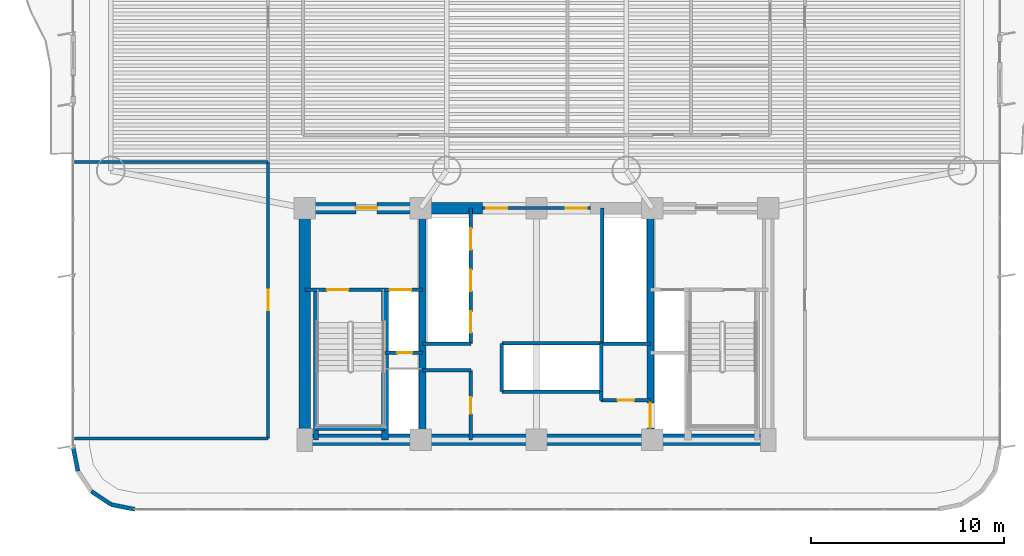
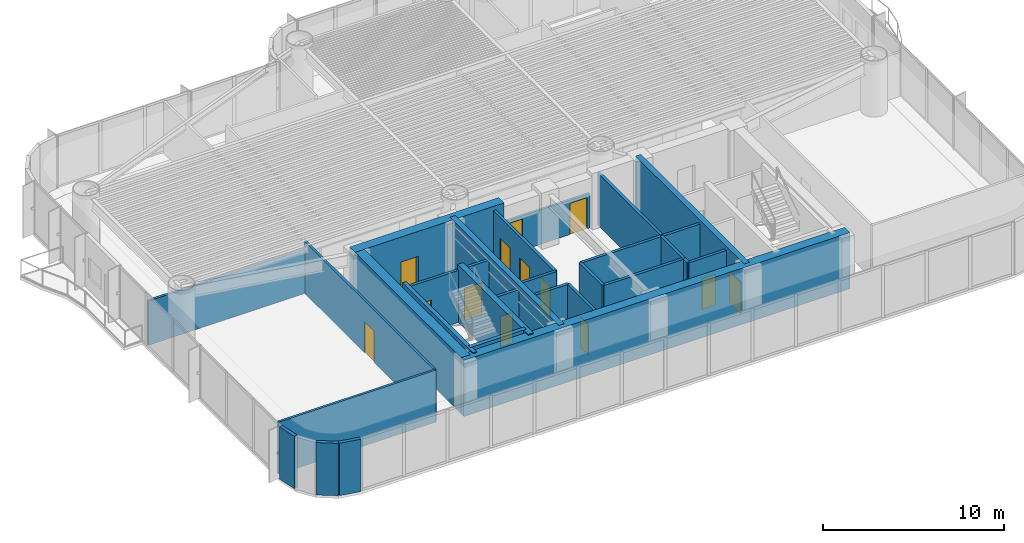
# One storey, part 10 of 16: 29 walls, 13 doors, 13 openings.
"""IFC4 building model written with IfcOpenShell, lengths in metres."""

from ifc_helpers import new_model, si_unit, direction, frame, frame_2d, origin, origin_2d, place, context, subcontext, project, spatial, rectangle, extrude, source, transform, mapped, material, layer, layer_set, type_object, element, fill, save


model = new_model("IFC4")

# Units and contexts
model_context = context("Model", 3, precision=1e-05, world=origin(), true_north=direction((0.0, 1.0)))
body_context = subcontext(model_context, "Body", "Model", "MODEL_VIEW")
ifc_project = project(units=[si_unit("LENGTHUNIT", "METRE"), si_unit("AREAUNIT", "SQUARE_METRE"), si_unit("VOLUMEUNIT", "CUBIC_METRE"), si_unit("PLANEANGLEUNIT", "RADIAN"), si_unit("MASSUNIT", "GRAM", prefix="KILO")], contexts=[model_context])

# Site, building, storey
site_placement = place(None, origin())
site = spatial("IfcSite", under=ifc_project, at=site_placement, CompositionType="ELEMENT")
building_placement = place(site_placement, origin())
building = spatial("IfcBuilding", under=site, at=building_placement, Name="Brelvock Crest Care Tower", CompositionType="ELEMENT")
storey_placement = place(building_placement, frame((0.0, 0.0, 57.239990234375)))
storey = spatial("IfcBuildingStorey", under=building, at=storey_placement, Name="L14", CompositionType="ELEMENT", Elevation=57.239990234375)

# Walls
ifc_material_1 = material(Name="Concrete S80 (80 MPa)", Category="concrete")
ifc_layer_1 = layer(ifc_material_1, 0.60009765625, Name="WL-CS1")
ifc_layer_set_1 = layer_set([ifc_layer_1], Name="Concrete S80 (80 MPa)")
wall_type_1 = type_object("IfcWallType", Name="WL-CS1", PredefinedType="SHEAR", material=ifc_layer_set_1)
wall_1_placement = place(storey_placement, frame((48.300048828125, 6.0, 0.0), z_axis=(0.0, 0.0, 1.0), x_axis=(-1.0, 0.0, 0.0)))
element("IfcWall", 1, at=wall_1_placement, inside=storey, type_object=wall_type_1, Name="L14 Core South Shear Wall", PredefinedType="SHEAR", context=body_context, shape_type="SweptSolid", body=[
    extrude(rectangle(XDim=24.60009765625, YDim=0.60009765625, at=frame_2d((12.300048828125, 0.0))), origin(), (0.0, 0.0, 1.0), 3.780029296875),
])
wall_2_placement = place(storey_placement, frame((24.0, 6.0, 0.0), z_axis=(0.0, 0.0, 1.0), x_axis=(0.0, 1.0, 0.0)))
element("IfcWall", 2, at=wall_2_placement, inside=storey, type_object=wall_type_1, Name="L14 Core West Shear Wall", PredefinedType="SHEAR", context=body_context, shape_type="SweptSolid", body=[
    extrude(rectangle(XDim=12.0, YDim=0.60009765625, at=frame_2d((6.0, 0.0))), origin(), (0.0, 0.0, 1.0), 3.780029296875),
])

# Wall, opening, door
wall_3_placement = place(storey_placement, frame((23.699951171875, 18.0, 0.0), z_axis=(0.0, 0.0, 1.0), x_axis=(1.0, 0.0, 0.0)))
wall_3 = element("IfcWall", 3, at=wall_3_placement, inside=storey, type_object=wall_type_1, Name="L14 Core North-West Shear Wall", PredefinedType="SHEAR", context=body_context, shape_type="SweptSolid", body=[
    extrude(rectangle(XDim=9.5, YDim=0.60009765625, at=frame_2d((4.75, 0.0))), origin(), (0.0, 0.0, 1.0), 3.780029296875),
])
opening_1_placement = place(wall_3_placement, frame((2.949951171875, 0.0, 0.0)))
opening_1 = element("IfcOpeningElement", 4, at=opening_1_placement, cuts=wall_3, Name="Opening FD-1", PredefinedType="OPENING", context=body_context, shape_type="SweptSolid", body=[
    extrude(rectangle(XDim=1.10009765625, YDim=2.10009765625, at=origin_2d()), frame((0.550048828125, 0.31005859375, 1.050048828125), z_axis=(0.0, -1.0, 0.0), x_axis=(1.0, 0.0, 0.0)), (0.0, 0.0, 1.0), 0.6201171875),
])
ifc_material_2 = material(Name="Steel Grade 350", Category="steel")
door_type_1 = type_object("IfcDoorType", Name="DR-FFL1", OperationType="NOTDEFINED", PredefinedType="DOOR", material=ifc_material_2)
shared_shape_1 = source(origin(), body_context, "Body", "SweptSolid", [
    extrude(rectangle(XDim=1.10009765625, YDim=2.10009765625, at=origin_2d()), frame((0.550048828125, 0.02490234375, 1.050048828125), z_axis=(0.0, -1.0, 0.0), x_axis=(1.0, 0.0, 0.0)), (0.0, 0.0, 1.0), 0.050048828125),
])
door_1_placement = place(opening_1_placement, origin())
door_1 = element("IfcDoor", 5, at=door_1_placement, inside=storey, type_object=door_type_1, Name="L14 Firefighting Lobby FFL-1 Exit Door", OperationType="SINGLE_SWING_LEFT", OverallHeight=2.10009765625, OverallWidth=1.10009765625, PredefinedType="DOOR", context=body_context, shape_type="MappedRepresentation", body=[
    mapped(shared_shape_1, transform((0.0, 0.0, 0.0), x_axis=(1.0, 0.0, 0.0), y_axis=(0.0, 1.0, 0.0), z_axis=(0.0, 0.0, 1.0), scale=1.0)),
])
fill(opening_1, door_1)

# Wall
ifc_layer_2 = layer(ifc_material_1, 0.35009765625, Name="WL-CS5")
ifc_layer_set_2 = layer_set([ifc_layer_2], Name="Concrete S80 (80 MPa)")
wall_type_2 = type_object("IfcWallType", Name="WL-CS5", PredefinedType="SHEAR", material=ifc_layer_set_2)
wall_4_placement = place(storey_placement, frame((30.10009765625, 6.0, 0.0), z_axis=(0.0, 0.0, 1.0), x_axis=(0.0, 1.0, 0.0)))
element("IfcWall", 6, at=wall_4_placement, inside=storey, type_object=wall_type_2, Name="L14 Core Internal Web Wall West", PredefinedType="SHEAR", context=body_context, shape_type="SweptSolid", body=[
    extrude(rectangle(XDim=12.0, YDim=0.35009765625, at=frame_2d((6.0, 0.0))), origin(), (0.0, 0.0, 1.0), 3.780029296875),
])

# Wall, opening, door
wall_5_placement = place(storey_placement, frame((41.89990234375, 18.0, 0.0), z_axis=(0.0, 0.0, 1.0), x_axis=(0.0, -1.0, 0.0)))
wall_5 = element("IfcWall", 7, at=wall_5_placement, inside=storey, type_object=wall_type_2, Name="L14 Core Internal Web Wall East", PredefinedType="SHEAR", context=body_context, shape_type="SweptSolid", body=[
    extrude(rectangle(XDim=12.0, YDim=0.35009765625, at=frame_2d((6.0, 0.0))), origin(), (0.0, 0.0, 1.0), 3.780029296875),
])
opening_2_placement = place(wall_5_placement, frame((10.080078125, 0.0, 0.0)))
opening_2 = element("IfcOpeningElement", 8, at=opening_2_placement, cuts=wall_5, Name="Opening LD-S", PredefinedType="OPENING", context=body_context, shape_type="SweptSolid", body=[
    extrude(rectangle(XDim=1.300048828125, YDim=2.10009765625, at=origin_2d()), frame((0.64990234375, 0.18505859375, 1.050048828125), z_axis=(0.0, -1.0, 0.0), x_axis=(1.0, 0.0, 0.0)), (0.0, 0.0, 1.0), 0.3701171875),
])
door_type_2 = type_object("IfcDoorType", Name="DR-LDS1", OperationType="NOTDEFINED", PredefinedType="DOOR", material=ifc_material_2)
shared_shape_2 = source(origin(), body_context, "Body", "SweptSolid", [
    extrude(rectangle(XDim=1.300048828125, YDim=2.10009765625, at=origin_2d()), frame((0.64990234375, 0.02490234375, 1.050048828125), z_axis=(0.0, -1.0, 0.0), x_axis=(1.0, 0.0, 0.0)), (0.0, 0.0, 1.0), 0.050048828125),
])
door_2_placement = place(opening_2_placement, origin())
door_2 = element("IfcDoor", 9, at=door_2_placement, inside=storey, type_object=door_type_2, Name="L14 Clinical Bed Lift SL-1 Landing Door", OperationType="SLIDING_TO_LEFT", OverallHeight=2.10009765625, OverallWidth=1.300048828125, PredefinedType="DOOR", context=body_context, shape_type="MappedRepresentation", body=[
    mapped(shared_shape_2, transform((0.0, 0.0, 0.0), x_axis=(1.0, 0.0, 0.0), y_axis=(0.0, 1.0, 0.0), z_axis=(0.0, 0.0, 1.0), scale=1.0)),
])
fill(opening_2, door_2)

# Walls
wall_6_placement = place(storey_placement, frame((28.14990234375, 6.0, 0.0), z_axis=(0.0, 0.0, 1.0), x_axis=(0.0, 1.0, 0.0)))
element("IfcWall", 10, at=wall_6_placement, inside=storey, type_object=wall_type_2, Name="L14 Core Stair ST-1 East Shear Wall", PredefinedType="SHEAR", context=body_context, shape_type="SweptSolid", body=[
    extrude(rectangle(XDim=7.780029296875, YDim=0.35009765625, at=frame_2d((3.89013671875, 0.0))), origin(), (0.0, 0.0, 1.0), 3.85009765625),
])
ifc_layer_3 = layer(ifc_material_1, 0.25, Name="WL-CS6")
ifc_layer_set_3 = layer_set([ifc_layer_3], Name="Concrete S80 (80 MPa)")
wall_type_3 = type_object("IfcWallType", Name="WL-CS6", PredefinedType="SHEAR", material=ifc_layer_set_3)
wall_7_placement = place(storey_placement, frame((24.580078125, 6.0, 0.0), z_axis=(0.0, 0.0, 1.0), x_axis=(0.0, 1.0, 0.0)))
element("IfcWall", 11, at=wall_7_placement, inside=storey, type_object=wall_type_3, Name="L14 Core Stair ST-1 West Shear Wall", PredefinedType="SHEAR", context=body_context, shape_type="SweptSolid", body=[
    extrude(rectangle(XDim=7.780029296875, YDim=0.25, at=frame_2d((3.89013671875, 0.0))), origin(), (0.0, 0.0, 1.0), 3.85009765625),
])
wall_8_placement = place(storey_placement, frame((24.580078125, 6.6201171875, 0.0), z_axis=(0.0, 0.0, 1.0), x_axis=(1.0, 0.0, 0.0)))
element("IfcWall", 12, at=wall_8_placement, inside=storey, type_object=wall_type_3, Name="L14 Core Stair ST-1 South Shear Wall", PredefinedType="SHEAR", context=body_context, shape_type="SweptSolid", body=[
    extrude(rectangle(XDim=3.56982421875, YDim=0.25, at=frame_2d((1.784912109375, 0.0))), origin(), (0.0, 0.0, 1.0), 3.85009765625),
])
ifc_material_3 = material(Name="Precast concrete N40 (40 MPa)", Category="concrete")
ifc_layer_4 = layer(ifc_material_3, 0.215087890625, Name="WL-EX2")
ifc_layer_set_4 = layer_set([ifc_layer_4], Name="Precast concrete N40 (40 MPa)")
wall_type_4 = type_object("IfcWallType", Name="WL-EX2", PredefinedType="SOLIDWALL", material=ifc_layer_set_4)
for number, where, z_axis, x_axis, name in (
    (13, (15.199951171875, 2.39990234375, 0.0), (0.0, 0.0, 1.0), (-0.980775717779, 0.195138390419, 0.0), "L14 Rounded Corner Wall 09"),
    (14, (13.975341796875, 2.6435546875, 0.0), (0.0, 0.0, 1.0), (-0.831387912822, 0.555692485475, 0.0), "L14 Rounded Corner Wall 10"),
    (15, (12.24365234375, 4.37548828125, 0.0), (0.0, 0.0, 1.0), (-0.195138390419, 0.980775717779, 0.0), "L14 Rounded Corner Wall 12"),
):
    element("IfcWall", number, at=place(storey_placement, frame(where, z_axis=z_axis, x_axis=x_axis)), inside=storey, type_object=wall_type_4, Name=name, PredefinedType="SOLIDWALL", context=body_context, shape_type="SweptSolid", body=[
        extrude(rectangle(XDim=1.24853515625, YDim=0.215087890625, at=frame_2d((0.624267578125, 0.0))), origin(), (0.0, 0.0, 1.0), 3.530029296875),
    ])

# Wall, openings, doors
ifc_material_4 = material(Name="Masonry Blockwork Acoustic Partition", Category="masonry")
ifc_layer_5 = layer(ifc_material_4, 0.14990234375, Name="WL-INT1")
ifc_layer_set_5 = layer_set([ifc_layer_5], Name="Masonry Blockwork Acoustic Partition")
wall_type_5 = type_object("IfcWallType", Name="WL-INT1", PredefinedType="PARTITIONING", material=ifc_layer_set_5)
wall_9_placement = place(storey_placement, frame((33.199951171875, 18.0, 0.0), z_axis=(0.0, 0.0, 1.0), x_axis=(1.0, 0.0, 0.0)))
wall_9 = element("IfcWall", 16, at=wall_9_placement, inside=storey, type_object=wall_type_5, Name="L14 Interior Wall WL-CORE-NPORT-L14", PredefinedType="PARTITIONING", context=body_context, shape_type="SweptSolid", body=[
    extrude(rectangle(XDim=5.60009765625, YDim=0.14990234375, at=frame_2d((2.800048828125, 0.0))), origin(), (0.0, 0.0, 1.0), 2.31494140625),
])
opening_3_placement = place(wall_9_placement, frame((0.18994140625, 0.0, 0.0)))
opening_3 = element("IfcOpeningElement", 17, at=opening_3_placement, cuts=wall_9, Name="Opening FD-1", PredefinedType="OPENING", context=body_context, shape_type="SweptSolid", body=[
    extrude(rectangle(XDim=1.10009765625, YDim=2.10009765625, at=origin_2d()), frame((0.550048828125, 0.0849609375, 1.050048828125), z_axis=(0.0, -1.0, 0.0), x_axis=(1.0, 0.0, 0.0)), (0.0, 0.0, 1.0), 0.169921875),
])
opening_4_placement = place(wall_9_placement, frame((4.31005859375, 0.0, 0.0)))
opening_4 = element("IfcOpeningElement", 18, at=opening_4_placement, cuts=wall_9, Name="Opening FD-1", PredefinedType="OPENING", context=body_context, shape_type="SweptSolid", body=[
    extrude(rectangle(XDim=1.10009765625, YDim=2.10009765625, at=origin_2d()), frame((0.550048828125, 0.0849609375, 1.050048828125), z_axis=(0.0, -1.0, 0.0), x_axis=(1.0, 0.0, 0.0)), (0.0, 0.0, 1.0), 0.169921875),
])
door_3_placement = place(opening_3_placement, origin())
door_3 = element("IfcDoor", 19, at=door_3_placement, inside=storey, type_object=door_type_1, Name="L14 Lift Lobby North Smoke Door West", OperationType="SINGLE_SWING_LEFT", OverallHeight=2.10009765625, OverallWidth=1.10009765625, PredefinedType="DOOR", context=body_context, shape_type="MappedRepresentation", body=[
    mapped(shared_shape_1, transform((0.0, 0.0, 0.0), x_axis=(1.0, 0.0, 0.0), y_axis=(0.0, 1.0, 0.0), z_axis=(0.0, 0.0, 1.0), scale=1.0)),
])
fill(opening_3, door_3)
door_4_placement = place(opening_4_placement, origin())
door_4 = element("IfcDoor", 20, at=door_4_placement, inside=storey, type_object=door_type_1, Name="L14 Lift Lobby North Smoke Door East", OperationType="SINGLE_SWING_RIGHT", OverallHeight=2.10009765625, OverallWidth=1.10009765625, PredefinedType="DOOR", context=body_context, shape_type="MappedRepresentation", body=[
    mapped(shared_shape_1, transform((0.0, 0.0, 0.0), x_axis=(1.0, 0.0, 0.0), y_axis=(0.0, 1.0, 0.0), z_axis=(0.0, 0.0, 1.0), scale=1.0)),
])
fill(opening_4, door_4)

# Walls
wall_10_placement = place(storey_placement, frame((12.080078125, 6.080078125, 0.0), z_axis=(0.0, 0.0, 1.0), x_axis=(1.0, 0.0, 0.0)))
element("IfcWall", 21, at=wall_10_placement, inside=storey, type_object=wall_type_5, Name="L14 Interior Wall WL-BX-L14-WS1-S", PredefinedType="PARTITIONING", context=body_context, shape_type="SweptSolid", body=[
    extrude(rectangle(XDim=10.02001953125, YDim=0.14990234375, at=frame_2d((5.010009765625, 0.0))), origin(), (0.0, 0.0, 1.0), 3.5),
])
wall_11_placement = place(storey_placement, frame((12.080078125, 20.39990234375, 0.0), z_axis=(0.0, 0.0, 1.0), x_axis=(1.0, 0.0, 0.0)))
element("IfcWall", 22, at=wall_11_placement, inside=storey, type_object=wall_type_5, Name="L14 Interior Wall WL-BX-L14-WS1-N", PredefinedType="PARTITIONING", context=body_context, shape_type="SweptSolid", body=[
    extrude(rectangle(XDim=10.02001953125, YDim=0.14990234375, at=frame_2d((5.010009765625, 0.0))), origin(), (0.0, 0.0, 1.0), 2.98193359375),
])

# Wall, opening, door
wall_12_placement = place(storey_placement, frame((22.10009765625, 6.080078125, 0.0), z_axis=(0.0, 0.0, 1.0), x_axis=(0.0, 1.0, 0.0)))
wall_12 = element("IfcWall", 23, at=wall_12_placement, inside=storey, type_object=wall_type_5, Name="L14 Interior Wall WL-RM-L14-WS1", PredefinedType="PARTITIONING", context=body_context, shape_type="SweptSolid", body=[
    extrude(rectangle(XDim=14.31982421875, YDim=0.14990234375, at=frame_2d((7.159912109375, 0.0))), origin(), (0.0, 0.0, 1.0), 3.5),
])
opening_5_placement = place(wall_12_placement, frame((6.635009765625, 0.0, 0.0)))
opening_5 = element("IfcOpeningElement", 24, at=opening_5_placement, cuts=wall_12, Name="Opening CLD-1", PredefinedType="OPENING", context=body_context, shape_type="SweptSolid", body=[
    extrude(rectangle(XDim=1.050048828125, YDim=2.10009765625, at=origin_2d()), frame((0.52490234375, 0.0849609375, 1.050048828125), z_axis=(0.0, -1.0, 0.0), x_axis=(1.0, 0.0, 0.0)), (0.0, 0.0, 1.0), 0.169921875),
])
ifc_material_5 = material(Name="Engineered Hardwood Timber", Category="wood")
door_type_3 = type_object("IfcDoorType", Name="DR-CLN1", OperationType="NOTDEFINED", PredefinedType="DOOR", material=ifc_material_5)
shared_shape_3 = source(origin(), body_context, "Body", "SweptSolid", [
    extrude(rectangle(XDim=1.050048828125, YDim=2.10009765625, at=origin_2d()), frame((0.52490234375, 0.02490234375, 1.050048828125), z_axis=(0.0, -1.0, 0.0), x_axis=(1.0, 0.0, 0.0)), (0.0, 0.0, 1.0), 0.050048828125),
])
door_5_placement = place(opening_5_placement, origin())
door_5 = element("IfcDoor", 25, at=door_5_placement, inside=storey, type_object=door_type_3, Name="L14 Senior Creative Arts Studio Door WS1", OperationType="SINGLE_SWING_LEFT", OverallHeight=2.10009765625, OverallWidth=1.050048828125, PredefinedType="DOOR", context=body_context, shape_type="MappedRepresentation", body=[
    mapped(shared_shape_3, transform((0.0, 0.0, 0.0), x_axis=(1.0, 0.0, 0.0), y_axis=(0.0, 1.0, 0.0), z_axis=(0.0, 0.0, 1.0), scale=1.0)),
])
fill(opening_5, door_5)

# Walls
ifc_layer_6 = layer(ifc_material_4, 0.179931640625, Name="WL-SHF1")
ifc_layer_set_6 = layer_set([ifc_layer_6], Name="Masonry Blockwork Acoustic Partition")
wall_type_6 = type_object("IfcWallType", Name="WL-SHF1", PredefinedType="PARTITIONING", material=ifc_layer_set_6)
for number, where, z_axis, x_axis, name in (
    (26, (34.199951171875, 11.0, 0.0), (0.0, 0.0, 1.0), (1.0, 0.0, 0.0), "L14 Interior Wall WL-PLM-SHF-L14"),
    (27, (34.199951171875, 8.5, 0.0), (0.0, 0.0, 1.0), (1.0, 0.0, 0.0), "L14 Interior Wall WL-PLM-S-L14"),
):
    element("IfcWall", number, at=place(storey_placement, frame(where, z_axis=z_axis, x_axis=x_axis)), inside=storey, type_object=wall_type_6, Name=name, PredefinedType="PARTITIONING", context=body_context, shape_type="SweptSolid", body=[
        extrude(rectangle(XDim=5.150146484375, YDim=0.179931640625, at=frame_2d((2.5751953125, 0.0))), origin(), (0.0, 0.0, 1.0), 3.5),
    ])
for number, where, z_axis, x_axis, name in (
    (28, (34.199951171875, 8.5, 0.0), (0.0, 0.0, 1.0), (0.0, 1.0, 0.0), "L14 Interior Wall WL-PLM-W-L14"),
    (29, (39.35009765625, 8.5, 0.0), (0.0, 0.0, 1.0), (0.0, 1.0, 0.0), "L14 Interior Wall WL-PLM-E-L14"),
):
    element("IfcWall", number, at=place(storey_placement, frame(where, z_axis=z_axis, x_axis=x_axis)), inside=storey, type_object=wall_type_6, Name=name, PredefinedType="PARTITIONING", context=body_context, shape_type="SweptSolid", body=[
        extrude(rectangle(XDim=2.5, YDim=0.179931640625, at=frame_2d((1.25, 0.0))), origin(), (0.0, 0.0, 1.0), 3.5),
    ])
wall_13_placement = place(storey_placement, frame((39.39990234375, 11.0, 0.0), z_axis=(0.0, 0.0, 1.0), x_axis=(0.0, 1.0, 0.0)))
element("IfcWall", 30, at=wall_13_placement, inside=storey, type_object=wall_type_6, Name="L14 Interior Wall WL-PLH-SHF-L14", PredefinedType="PARTITIONING", context=body_context, shape_type="SweptSolid", body=[
    extrude(rectangle(XDim=7.0, YDim=0.179931640625, at=frame_2d((3.5, 0.0))), origin(), (0.0, 0.0, 1.0), 3.5),
])
for number, where, z_axis, x_axis, name in (
    (31, (30.10009765625, 10.97998046875, 0.0), (0.0, 0.0, 1.0), (1.0, 0.0, 0.0), "L14 Interior Wall WL-CSBW-N-L14"),
    (32, (30.10009765625, 9.60009765625, 0.0), (0.0, 0.0, 1.0), (1.0, 0.0, 0.0), "L14 Interior Wall WL-CSBW-S1-L14"),
):
    element("IfcWall", number, at=place(storey_placement, frame(where, z_axis=z_axis, x_axis=x_axis)), inside=storey, type_object=wall_type_6, Name=name, PredefinedType="PARTITIONING", context=body_context, shape_type="SweptSolid", body=[
        extrude(rectangle(XDim=2.5, YDim=0.179931640625, at=frame_2d((1.25, 0.0))), origin(), (0.0, 0.0, 1.0), 3.5),
    ])

# Wall, opening, door
wall_14_placement = place(storey_placement, frame((32.60009765625, 6.0, 0.0), z_axis=(0.0, 0.0, 1.0), x_axis=(0.0, 1.0, 0.0)))
wall_14 = element("IfcWall", 33, at=wall_14_placement, inside=storey, type_object=wall_type_6, Name="L14 Interior Wall WL-CSBW-E-L14", PredefinedType="PARTITIONING", context=body_context, shape_type="SweptSolid", body=[
    extrude(rectangle(XDim=3.60009765625, YDim=0.179931640625, at=frame_2d((1.800048828125, 0.0))), origin(), (0.0, 0.0, 1.0), 3.5),
])
opening_6_placement = place(wall_14_placement, frame((1.35009765625, 0.0, 0.0)))
opening_6 = element("IfcOpeningElement", 34, at=opening_6_placement, cuts=wall_14, Name="Opening ID-1", PredefinedType="OPENING", context=body_context, shape_type="SweptSolid", body=[
    extrude(rectangle(XDim=0.860107421875, YDim=2.10009765625, at=origin_2d()), frame((0.43017578125, 0.10009765625, 1.050048828125), z_axis=(0.0, -1.0, 0.0), x_axis=(1.0, 0.0, 0.0)), (0.0, 0.0, 1.0), 0.199951171875),
])
door_type_4 = type_object("IfcDoorType", Name="DR-INT1", OperationType="NOTDEFINED", PredefinedType="DOOR", material=ifc_material_5)
shared_shape_4 = source(origin(), body_context, "Body", "SweptSolid", [
    extrude(rectangle(XDim=0.860107421875, YDim=2.10009765625, at=origin_2d()), frame((0.43017578125, 0.02490234375, 1.050048828125), z_axis=(0.0, -1.0, 0.0), x_axis=(1.0, 0.0, 0.0)), (0.0, 0.0, 1.0), 0.050048828125),
])
door_6_placement = place(opening_6_placement, origin())
door_6 = element("IfcDoor", 35, at=door_6_placement, inside=storey, type_object=door_type_4, Name="DR-CSBW-L14", OperationType="SINGLE_SWING_LEFT", OverallHeight=2.10009765625, OverallWidth=0.860107421875, PredefinedType="DOOR", context=body_context, shape_type="MappedRepresentation", body=[
    mapped(shared_shape_4, transform((0.0, 0.0, 0.0), x_axis=(1.0, 0.0, 0.0), y_axis=(0.0, 1.0, 0.0), z_axis=(0.0, 0.0, 1.0), scale=1.0)),
])
fill(opening_6, door_6)

# Walls
wall_15_placement = place(storey_placement, frame((39.35009765625, 10.97998046875, 0.0), z_axis=(0.0, 0.0, 1.0), x_axis=(1.0, 0.0, 0.0)))
element("IfcWall", 36, at=wall_15_placement, inside=storey, type_object=wall_type_6, Name="L14 Interior Wall WL-CSBE-N-L14", PredefinedType="PARTITIONING", context=body_context, shape_type="SweptSolid", body=[
    extrude(rectangle(XDim=2.5498046875, YDim=0.179931640625, at=frame_2d((1.27490234375, 0.0))), origin(), (0.0, 0.0, 1.0), 3.5),
])
wall_16_placement = place(storey_placement, frame((39.35009765625, 8.050048828125, 0.0), z_axis=(0.0, 0.0, 1.0), x_axis=(0.0, 1.0, 0.0)))
element("IfcWall", 37, at=wall_16_placement, inside=storey, type_object=wall_type_6, Name="L14 Interior Wall WL-CSBE-W-L14", PredefinedType="PARTITIONING", context=body_context, shape_type="SweptSolid", body=[
    extrude(rectangle(XDim=0.449951171875, YDim=0.179931640625, at=frame_2d((0.22509765625, 0.0))), origin(), (0.0, 0.0, 1.0), 3.5),
])

# Wall, opening, door
wall_17_placement = place(storey_placement, frame((39.35009765625, 8.050048828125, 0.0), z_axis=(0.0, 0.0, 1.0), x_axis=(1.0, 0.0, 0.0)))
wall_17 = element("IfcWall", 38, at=wall_17_placement, inside=storey, type_object=wall_type_6, Name="L14 Interior Wall WL-CSBE-S-L14", PredefinedType="PARTITIONING", context=body_context, shape_type="SweptSolid", body=[
    extrude(rectangle(XDim=2.5498046875, YDim=0.179931640625, at=frame_2d((1.27490234375, 0.0))), origin(), (0.0, 0.0, 1.0), 3.5),
])
opening_7_placement = place(wall_17_placement, frame((0.85009765625, 0.0, 0.0)))
opening_7 = element("IfcOpeningElement", 39, at=opening_7_placement, cuts=wall_17, Name="Opening ID-1", PredefinedType="OPENING", context=body_context, shape_type="SweptSolid", body=[
    extrude(rectangle(XDim=0.860107421875, YDim=2.10009765625, at=origin_2d()), frame((0.43017578125, 0.10009765625, 1.050048828125), z_axis=(0.0, -1.0, 0.0), x_axis=(1.0, 0.0, 0.0)), (0.0, 0.0, 1.0), 0.199951171875),
])
door_7_placement = place(opening_7_placement, origin())
door_7 = element("IfcDoor", 40, at=door_7_placement, inside=storey, type_object=door_type_4, Name="DR-CSBE-L14", OperationType="SINGLE_SWING_LEFT", OverallHeight=2.10009765625, OverallWidth=0.860107421875, PredefinedType="DOOR", context=body_context, shape_type="MappedRepresentation", body=[
    mapped(shared_shape_4, transform((0.0, 0.0, 0.0), x_axis=(1.0, 0.0, 0.0), y_axis=(0.0, 1.0, 0.0), z_axis=(0.0, 0.0, 1.0), scale=1.0)),
])
fill(opening_7, door_7)

# Wall, openings, doors
wall_18_placement = place(storey_placement, frame((24.0, 13.780029296875, 0.0), z_axis=(0.0, 0.0, 1.0), x_axis=(1.0, 0.0, 0.0)))
wall_18 = element("IfcWall", 41, at=wall_18_placement, inside=storey, type_object=wall_type_6, Name="L14 Interior Wall WL-ST1-N-L14", PredefinedType="PARTITIONING", context=body_context, shape_type="SweptSolid", body=[
    extrude(rectangle(XDim=6.10009765625, YDim=0.179931640625, at=frame_2d((3.050048828125, 0.0))), origin(), (0.0, 0.0, 1.0), 3.5),
])
opening_8_placement = place(wall_18_placement, frame((1.14990234375, 0.0, 0.0)))
opening_8 = element("IfcOpeningElement", 42, at=opening_8_placement, cuts=wall_18, Name="Opening SD-1", PredefinedType="OPENING", context=body_context, shape_type="SweptSolid", body=[
    extrude(rectangle(XDim=1.10009765625, YDim=2.10009765625, at=origin_2d()), frame((0.550048828125, 0.10009765625, 1.050048828125), z_axis=(0.0, -1.0, 0.0), x_axis=(1.0, 0.0, 0.0)), (0.0, 0.0, 1.0), 0.199951171875),
])
opening_9_placement = place(wall_18_placement, frame((4.39990234375, 0.0, 0.0)))
opening_9 = element("IfcOpeningElement", 43, at=opening_9_placement, cuts=wall_18, Name="Opening LD", PredefinedType="OPENING", context=body_context, shape_type="SweptSolid", body=[
    extrude(rectangle(XDim=1.10009765625, YDim=2.10009765625, at=origin_2d()), frame((0.550048828125, 0.10009765625, 1.050048828125), z_axis=(0.0, -1.0, 0.0), x_axis=(1.0, 0.0, 0.0)), (0.0, 0.0, 1.0), 0.199951171875),
])
door_type_5 = type_object("IfcDoorType", Name="DR-ST1", OperationType="NOTDEFINED", PredefinedType="DOOR", material=ifc_material_2)
shared_shape_5 = source(origin(), body_context, "Body", "SweptSolid", [
    extrude(rectangle(XDim=1.10009765625, YDim=2.10009765625, at=origin_2d()), frame((0.550048828125, 0.02490234375, 1.050048828125), z_axis=(0.0, -1.0, 0.0), x_axis=(1.0, 0.0, 0.0)), (0.0, 0.0, 1.0), 0.050048828125),
])
door_8_placement = place(opening_8_placement, origin())
door_8 = element("IfcDoor", 44, at=door_8_placement, inside=storey, type_object=door_type_5, Name="L14 Fire Stair ST-1 Door", OperationType="SINGLE_SWING_LEFT", OverallHeight=2.10009765625, OverallWidth=1.10009765625, PredefinedType="DOOR", context=body_context, shape_type="MappedRepresentation", body=[
    mapped(shared_shape_5, transform((0.0, 0.0, 0.0), x_axis=(1.0, 0.0, 0.0), y_axis=(0.0, 1.0, 0.0), z_axis=(0.0, 0.0, 1.0), scale=1.0)),
])
fill(opening_8, door_8)
door_type_6 = type_object("IfcDoorType", Name="DR-LD1", OperationType="NOTDEFINED", PredefinedType="DOOR", material=ifc_material_2)
shared_shape_6 = source(origin(), body_context, "Body", "SweptSolid", [
    extrude(rectangle(XDim=1.10009765625, YDim=2.10009765625, at=origin_2d()), frame((0.550048828125, 0.02490234375, 1.050048828125), z_axis=(0.0, -1.0, 0.0), x_axis=(1.0, 0.0, 0.0)), (0.0, 0.0, 1.0), 0.050048828125),
])
door_9_placement = place(opening_9_placement, origin())
door_9 = element("IfcDoor", 45, at=door_9_placement, inside=storey, type_object=door_type_6, Name="L14 Firefighting Lift FFL-1 Landing Door", OperationType="SLIDING_TO_LEFT", OverallHeight=2.10009765625, OverallWidth=1.10009765625, PredefinedType="DOOR", context=body_context, shape_type="MappedRepresentation", body=[
    mapped(shared_shape_6, transform((0.0, 0.0, 0.0), x_axis=(1.0, 0.0, 0.0), y_axis=(0.0, 1.0, 0.0), z_axis=(0.0, 0.0, 1.0), scale=1.0)),
])
fill(opening_9, door_9)

# Wall, opening, door
wall_19_placement = place(storey_placement, frame((28.14990234375, 10.5, 0.0), z_axis=(0.0, 0.0, 1.0), x_axis=(1.0, 0.0, 0.0)))
wall_19 = element("IfcWall", 46, at=wall_19_placement, inside=storey, type_object=wall_type_6, Name="L14 Interior Wall WL-FFH1-S-L14", PredefinedType="PARTITIONING", context=body_context, shape_type="SweptSolid", body=[
    extrude(rectangle(XDim=1.9501953125, YDim=0.179931640625, at=frame_2d((0.97509765625, 0.0))), origin(), (0.0, 0.0, 1.0), 3.5),
])
opening_10_placement = place(wall_19_placement, frame((0.64990234375, 0.0, 0.0)))
opening_10 = element("IfcOpeningElement", 47, at=opening_10_placement, cuts=wall_19, Name="Opening RD-1", PredefinedType="OPENING", context=body_context, shape_type="SweptSolid", body=[
    extrude(rectangle(XDim=0.760009765625, YDim=2.050048828125, at=origin_2d()), frame((0.3798828125, 0.10009765625, 1.02490234375), z_axis=(0.0, -1.0, 0.0), x_axis=(1.0, 0.0, 0.0)), (0.0, 0.0, 1.0), 0.199951171875),
])
door_type_7 = type_object("IfcDoorType", Name="DR-RIS1", OperationType="NOTDEFINED", PredefinedType="DOOR", material=ifc_material_2)
shared_shape_7 = source(origin(), body_context, "Body", "SweptSolid", [
    extrude(rectangle(XDim=0.760009765625, YDim=2.050048828125, at=origin_2d()), frame((0.3798828125, 0.02490234375, 1.02490234375), z_axis=(0.0, -1.0, 0.0), x_axis=(1.0, 0.0, 0.0)), (0.0, 0.0, 1.0), 0.050048828125),
])
door_10_placement = place(opening_10_placement, origin())
door_10 = element("IfcDoor", 48, at=door_10_placement, inside=storey, type_object=door_type_7, Name="L14 Wet Fire Riser Access Door", OperationType="SINGLE_SWING_LEFT", OverallHeight=2.050048828125, OverallWidth=0.760009765625, PredefinedType="DOOR", context=body_context, shape_type="MappedRepresentation", body=[
    mapped(shared_shape_7, transform((0.0, 0.0, 0.0), x_axis=(1.0, 0.0, 0.0), y_axis=(0.0, 1.0, 0.0), z_axis=(0.0, 0.0, 1.0), scale=1.0)),
])
fill(opening_10, door_10)

# Wall, openings, doors
wall_20_placement = place(storey_placement, frame((32.60009765625, 11.0, 0.0), z_axis=(0.0, 0.0, 1.0), x_axis=(0.0, 1.0, 0.0)))
wall_20 = element("IfcWall", 49, at=wall_20_placement, inside=storey, type_object=wall_type_6, Name="L14 Interior Wall WL-PLL-BANK-L14", PredefinedType="PARTITIONING", context=body_context, shape_type="SweptSolid", body=[
    extrude(rectangle(XDim=7.0, YDim=0.179931640625, at=frame_2d((3.5, 0.0))), origin(), (0.0, 0.0, 1.0), 3.5),
])
opening_11_placement = place(wall_20_placement, frame((0.550048828125, 0.0, 0.0)))
opening_11 = element("IfcOpeningElement", 50, at=opening_11_placement, cuts=wall_20, Name="Opening LD", PredefinedType="OPENING", context=body_context, shape_type="SweptSolid", body=[
    extrude(rectangle(XDim=1.10009765625, YDim=2.10009765625, at=origin_2d()), frame((0.550048828125, 0.10009765625, 1.050048828125), z_axis=(0.0, -1.0, 0.0), x_axis=(1.0, 0.0, 0.0)), (0.0, 0.0, 1.0), 0.199951171875),
])
opening_12_placement = place(wall_20_placement, frame((2.699951171875, 0.0, 0.0)))
opening_12 = element("IfcOpeningElement", 51, at=opening_12_placement, cuts=wall_20, Name="Opening LD", PredefinedType="OPENING", context=body_context, shape_type="SweptSolid", body=[
    extrude(rectangle(XDim=1.10009765625, YDim=2.10009765625, at=origin_2d()), frame((0.550048828125, 0.10009765625, 1.050048828125), z_axis=(0.0, -1.0, 0.0), x_axis=(1.0, 0.0, 0.0)), (0.0, 0.0, 1.0), 0.199951171875),
])
opening_13_placement = place(wall_20_placement, frame((4.85009765625, 0.0, 0.0)))
opening_13 = element("IfcOpeningElement", 52, at=opening_13_placement, cuts=wall_20, Name="Opening LD", PredefinedType="OPENING", context=body_context, shape_type="SweptSolid", body=[
    extrude(rectangle(XDim=1.10009765625, YDim=2.10009765625, at=origin_2d()), frame((0.550048828125, 0.10009765625, 1.050048828125), z_axis=(0.0, -1.0, 0.0), x_axis=(1.0, 0.0, 0.0)), (0.0, 0.0, 1.0), 0.199951171875),
])
door_11_placement = place(opening_11_placement, origin())
door_11 = element("IfcDoor", 53, at=door_11_placement, inside=storey, type_object=door_type_6, Name="L14 Lift PL-L1 Landing Door", OperationType="SLIDING_TO_LEFT", OverallHeight=2.10009765625, OverallWidth=1.10009765625, PredefinedType="DOOR", context=body_context, shape_type="MappedRepresentation", body=[
    mapped(shared_shape_6, transform((0.0, 0.0, 0.0), x_axis=(1.0, 0.0, 0.0), y_axis=(0.0, 1.0, 0.0), z_axis=(0.0, 0.0, 1.0), scale=1.0)),
])
fill(opening_11, door_11)
door_12_placement = place(opening_12_placement, origin())
door_12 = element("IfcDoor", 54, at=door_12_placement, inside=storey, type_object=door_type_6, Name="L14 Lift PL-L2 Landing Door", OperationType="SLIDING_TO_LEFT", OverallHeight=2.10009765625, OverallWidth=1.10009765625, PredefinedType="DOOR", context=body_context, shape_type="MappedRepresentation", body=[
    mapped(shared_shape_6, transform((0.0, 0.0, 0.0), x_axis=(1.0, 0.0, 0.0), y_axis=(0.0, 1.0, 0.0), z_axis=(0.0, 0.0, 1.0), scale=1.0)),
])
fill(opening_12, door_12)
door_13_placement = place(opening_13_placement, origin())
door_13 = element("IfcDoor", 55, at=door_13_placement, inside=storey, type_object=door_type_6, Name="L14 Lift PL-L3 Landing Door", OperationType="SLIDING_TO_LEFT", OverallHeight=2.10009765625, OverallWidth=1.10009765625, PredefinedType="DOOR", context=body_context, shape_type="MappedRepresentation", body=[
    mapped(shared_shape_6, transform((0.0, 0.0, 0.0), x_axis=(1.0, 0.0, 0.0), y_axis=(0.0, 1.0, 0.0), z_axis=(0.0, 0.0, 1.0), scale=1.0)),
])
fill(opening_13, door_13)

save(model, "model.ifc")
